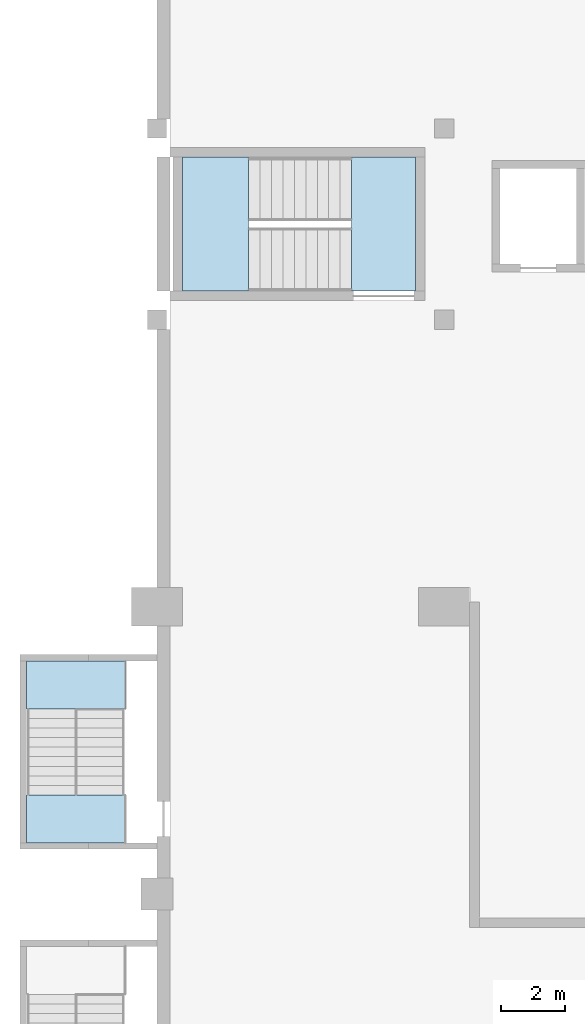
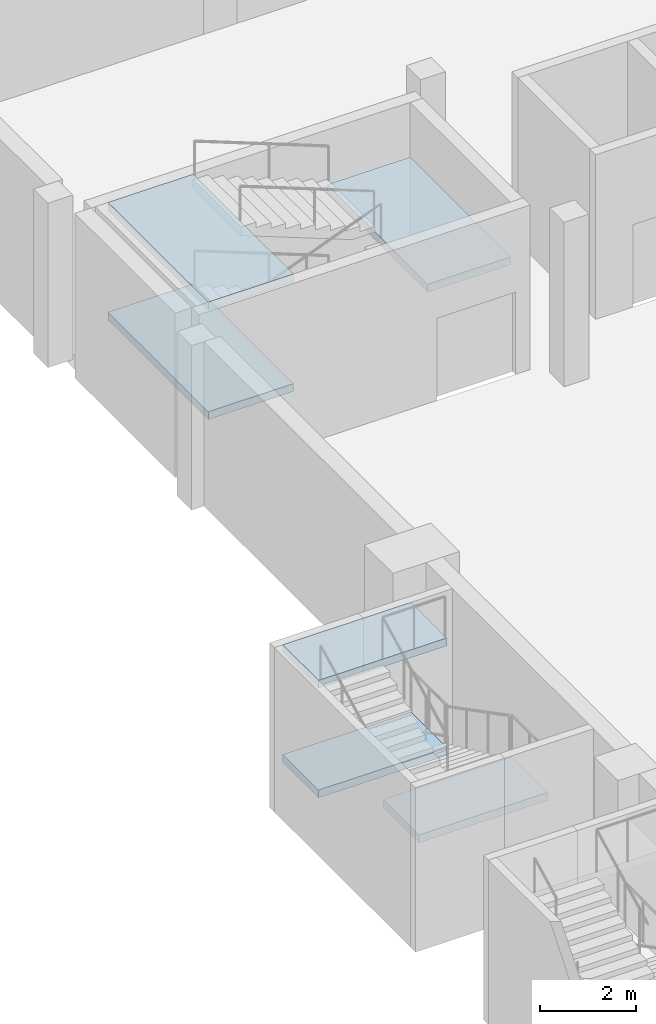
# One storey, part 8 of 27: 6 slabs, 2 elements without a shape of their own.
"""IFC4 building model written with IfcOpenShell, lengths in metres."""

from ifc_helpers import new_model, si_unit, direction, frame, origin, place, context, subcontext, project, spatial, polyline, outline, extrude, material, layer, layer_set, type_object, element, aggregate, save


model = new_model("IFC4")

# Units and contexts
model_context = context("Model", 3, precision=1e-05, world=origin(), true_north=direction((0.0, 1.0)))
body_context = subcontext(model_context, "Body", "Model", "MODEL_VIEW")
ifc_project = project(units=[si_unit("LENGTHUNIT", "METRE"), si_unit("AREAUNIT", "SQUARE_METRE"), si_unit("VOLUMEUNIT", "CUBIC_METRE"), si_unit("PLANEANGLEUNIT", "RADIAN"), si_unit("MASSUNIT", "GRAM", prefix="KILO")], contexts=[model_context])

# Site, building, storey
site_placement = place(None, origin())
site = spatial("IfcSite", under=ifc_project, at=site_placement, CompositionType="ELEMENT")
building_placement = place(site_placement, origin())
building = spatial("IfcBuilding", under=site, at=building_placement, Name="Aravalli Gate Trade Fair Centre", CompositionType="ELEMENT")
storey_placement = place(building_placement, frame((0.0, 0.0, -4.199951171875)))
storey = spatial("IfcBuildingStorey", under=building, at=storey_placement, Name="B1", CompositionType="ELEMENT", Elevation=-4.199951171875)

# Stair, slabs
ifc_material_1 = material(Name="Concrete M40", Category="concrete")
stair_type_1 = type_object("IfcStairType", Name="Basement exit stair 1500", PredefinedType="HALF_TURN_STAIR", material=ifc_material_1)
stair_1_placement = place(storey_placement, origin())
stair_1 = element("IfcStair", 1, at=stair_1_placement, inside=storey, type_object=stair_type_1, Name="Basement exit stair W2 B1 to L00", PredefinedType="HALF_TURN_STAIR")
ifc_material_2 = material(Name="Concrete M35", Category="concrete")
ifc_layer_1 = layer(ifc_material_2, 0.199951171875)
ifc_layer_set_1 = layer_set([ifc_layer_1], Name="Concrete M35")
slab_type_1 = type_object("IfcSlabType", Name="Basement stair landing 200", PredefinedType="LANDING", material=ifc_layer_set_1)
slab_1_placement = place(storey_placement, frame((0.0, 0.0, 1.199951171875)))
slab_1 = element("IfcSlab", 2, at=slab_1_placement, type_object=slab_type_1, Name="BS1 landing 1", PredefinedType="LANDING", context=body_context, shape_type="SweptSolid", body=[
    extrude(outline(polyline([(5.0, 105.800048828125), (5.0, 107.300048828125), (1.89990234375, 107.300048828125), (1.89990234375, 105.800048828125), (5.0, 105.800048828125)])), origin(), (0.0, 0.0, 1.0), 0.199951171875),
])
slab_2_placement = place(storey_placement, frame((0.0, 0.0, 2.599853515625)))
slab_2 = element("IfcSlab", 3, at=slab_2_placement, type_object=slab_type_1, Name="BS1 landing 2", PredefinedType="LANDING", context=body_context, shape_type="SweptSolid", body=[
    extrude(outline(polyline([(5.0, 101.60009765625), (5.0, 103.10009765625), (1.89990234375, 103.10009765625), (1.89990234375, 101.60009765625), (5.0, 101.60009765625)])), origin(), (0.0, 0.0, 1.0), 0.2001953125),
])
slab_3_placement = place(storey_placement, frame((0.0, 0.0, 4.0)))
slab_3 = element("IfcSlab", 4, at=slab_3_placement, type_object=slab_type_1, Name="BS1 landing 3", PredefinedType="LANDING", context=body_context, shape_type="SweptSolid", body=[
    extrude(outline(polyline([(5.0, 105.800048828125), (5.0, 107.300048828125), (1.89990234375, 107.300048828125), (1.89990234375, 105.800048828125), (5.0, 105.800048828125)])), origin(), (0.0, 0.0, 1.0), 0.199951171875),
])
aggregate(stair_1, [slab_1, slab_2, slab_3])

ifc_material_3 = material(Name="Concrete M30", Category="concrete")
stair_type_2 = type_object("IfcStairType", Name="Concourse stair, 2000 wide", PredefinedType="HALF_TURN_STAIR", material=ifc_material_3)
stair_2_placement = place(storey_placement, origin())
stair_2 = element("IfcStair", 5, at=stair_2_placement, inside=storey, type_object=stair_type_2, Name="Stair WS B1", PredefinedType="HALF_TURN_STAIR")
ifc_layer_2 = layer(ifc_material_3, 0.199951171875)
ifc_layer_set_2 = layer_set([ifc_layer_2], Name="Concrete M30")
slab_type_2 = type_object("IfcSlabType", Name="Concourse stair landing 200", PredefinedType="LANDING", material=ifc_layer_set_2)
slab_4_placement = place(storey_placement, frame((0.0, 0.0, 1.199951171875)))
slab_4 = element("IfcSlab", 6, at=slab_4_placement, type_object=slab_type_2, Name="STWS-B1 landing 1", PredefinedType="LANDING", context=body_context, shape_type="SweptSolid", body=[
    extrude(outline(polyline([(6.800048828125, 118.89990234375), (8.860107421875, 118.89990234375), (8.860107421875, 123.10009765625), (6.800048828125, 123.10009765625), (6.800048828125, 118.89990234375)])), origin(), (0.0, 0.0, 1.0), 0.199951171875),
])
slab_5_placement = place(storey_placement, frame((0.0, 0.0, 2.599853515625)))
slab_5 = element("IfcSlab", 7, at=slab_5_placement, type_object=slab_type_2, Name="STWS-B1 landing 2", PredefinedType="LANDING", context=body_context, shape_type="SweptSolid", body=[
    extrude(outline(polyline([(12.10009765625, 118.89990234375), (14.10009765625, 118.89990234375), (14.10009765625, 123.10009765625), (12.10009765625, 123.10009765625), (12.10009765625, 118.89990234375)])), origin(), (0.0, 0.0, 1.0), 0.2001953125),
])
slab_6_placement = place(storey_placement, frame((0.0, 0.0, 4.0)))
slab_6 = element("IfcSlab", 8, at=slab_6_placement, type_object=slab_type_2, Name="STWS-B1 landing 3", PredefinedType="LANDING", context=body_context, shape_type="SweptSolid", body=[
    extrude(outline(polyline([(6.800048828125, 118.89990234375), (8.860107421875, 118.89990234375), (8.860107421875, 123.10009765625), (6.800048828125, 123.10009765625), (6.800048828125, 118.89990234375)])), origin(), (0.0, 0.0, 1.0), 0.199951171875),
])
aggregate(stair_2, [slab_4, slab_5, slab_6])

save(model, "model.ifc")
